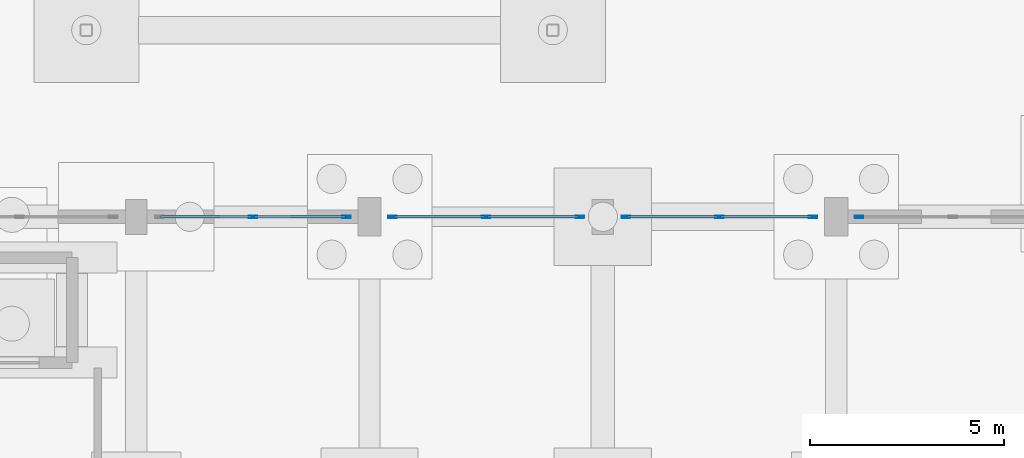
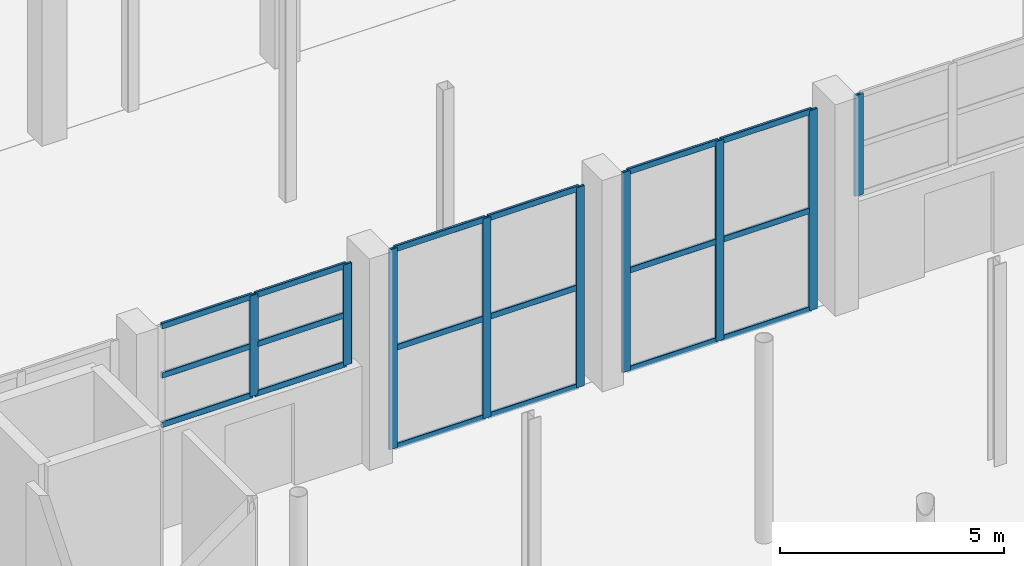
# One storey, part 51 of 103: 27 members, 4 elements without a shape of their own.
"""IFC4 building model written with IfcOpenShell, lengths in metres."""

from ifc_helpers import new_model, si_unit, direction, frame, origin, origin_2d, place, context, subcontext, project, spatial, hollow_rectangle, extrude, material, layer, layer_set, material_profile, profile_set, type_object, element, aggregate, save


model = new_model("IFC4")

# Units and contexts
model_context = context("Model", 3, precision=1e-05, world=origin(), true_north=direction((0.0, 1.0)))
body_context = subcontext(model_context, "Body", "Model", "MODEL_VIEW")
ifc_project = project(units=[si_unit("LENGTHUNIT", "METRE"), si_unit("AREAUNIT", "SQUARE_METRE"), si_unit("VOLUMEUNIT", "CUBIC_METRE"), si_unit("PLANEANGLEUNIT", "RADIAN"), si_unit("MASSUNIT", "GRAM", prefix="KILO")], contexts=[model_context])

# Site, building, storey
site_placement = place(None, origin())
site = spatial("IfcSite", under=ifc_project, at=site_placement, CompositionType="ELEMENT")
building_placement = place(site_placement, origin())
building = spatial("IfcBuilding", under=site, at=building_placement, Name="Dunvalen Ferry Terminal", CompositionType="ELEMENT")
storey_placement = place(building_placement, origin())
storey = spatial("IfcBuildingStorey", under=building, at=storey_placement, Name="L00", CompositionType="ELEMENT", Elevation=0.0)

# Curtain wall, members
ifc_material_1 = material(Name="Anodised marine aluminium and solar-control glazing", Category="aluminium")
ifc_layer = layer(ifc_material_1, 0.219970703125, Name="Anodised marine aluminium and solar-control glazing")
ifc_layer_set = layer_set([ifc_layer], Name="Anodised marine aluminium and solar-control glazing")
curtain_wall_type = type_object("IfcCurtainWallType", Name="ENV-CW-SYS-01", PredefinedType="NOTDEFINED", material=ifc_layer_set)
curtain_wall_1_placement = place(storey_placement, origin())
curtain_wall_1 = element("IfcCurtainWall", 1, at=curtain_wall_1_placement, inside=storey, type_object=curtain_wall_type, Name="L00 Curtain Wall CW-V1N-L00-04", PredefinedType="NOTDEFINED")
ifc_material_2 = material(Name="Anodised marine aluminium EN AW-6063 T6", Category="aluminium")
ifc_material_profile_1 = material_profile(ifc_material_2, hollow_rectangle(XDim=0.06494140625, YDim=0.219970703125, WallThickness=0.00390625, InnerFilletRadius=0.00390625, OuterFilletRadius=0.008056640625, at=origin_2d()), Name="Anodised marine aluminium EN AW-6063 T6")
ifc_profile_set_1 = profile_set([ifc_material_profile_1], Name="Anodised marine aluminium EN AW-6063 T6")
member_type_1 = type_object("IfcMemberType", Name="ENV-CW-MUL-1", PredefinedType="MULLION", material=ifc_profile_set_1)
member_1_placement = place(storey_placement, frame((33.0, 86.39990234375, 2.699951171875), z_axis=(0.0, 0.0, 1.0), x_axis=(0.0, 1.0, 0.0)))
member_1 = element("IfcMember", 2, at=member_1_placement, type_object=member_type_1, Name="CW-01 mullion 2", PredefinedType="MULLION", context=body_context, shape_type="SweptSolid", body=[
    extrude(hollow_rectangle(XDim=0.06494140625, YDim=0.219970703125, WallThickness=0.00390625, InnerFilletRadius=0.00390625, OuterFilletRadius=0.008056640625, at=origin_2d()), origin(), (0.0, 0.0, 1.0), 2.75),
])
member_2_placement = place(storey_placement, frame((35.407470703125, 86.39990234375, 2.699951171875), z_axis=(0.0, 0.0, 1.0), x_axis=(0.0, 1.0, 0.0)))
member_2 = element("IfcMember", 3, at=member_2_placement, type_object=member_type_1, Name="CW-01 mullion 3", PredefinedType="MULLION", context=body_context, shape_type="SweptSolid", body=[
    extrude(hollow_rectangle(XDim=0.06494140625, YDim=0.219970703125, WallThickness=0.00390625, InnerFilletRadius=0.00390625, OuterFilletRadius=0.008056640625, at=origin_2d()), origin(), (0.0, 0.0, 1.0), 2.75),
])

curtain_wall_2_placement = place(storey_placement, origin())
curtain_wall_2 = element("IfcCurtainWall", 4, at=curtain_wall_2_placement, inside=storey, type_object=curtain_wall_type, Name="L00 Curtain Wall CW-V1N-L00-05", PredefinedType="NOTDEFINED")
member_3_placement = place(storey_placement, frame((36.592529296875, 86.39990234375, 0.0), z_axis=(0.0, 0.0, 1.0), x_axis=(0.0, 1.0, 0.0)))
member_3 = element("IfcMember", 5, at=member_3_placement, type_object=member_type_1, Name="CW-01 mullion 1", PredefinedType="MULLION", context=body_context, shape_type="SweptSolid", body=[
    extrude(hollow_rectangle(XDim=0.06494140625, YDim=0.219970703125, WallThickness=0.00390625, InnerFilletRadius=0.00390625, OuterFilletRadius=0.008056640625, at=origin_2d()), origin(), (0.0, 0.0, 1.0), 5.449951171875),
])
member_4_placement = place(storey_placement, frame((39.0, 86.39990234375, 0.0), z_axis=(0.0, 0.0, 1.0), x_axis=(0.0, 1.0, 0.0)))
member_4 = element("IfcMember", 6, at=member_4_placement, type_object=member_type_1, Name="CW-01 mullion 2", PredefinedType="MULLION", context=body_context, shape_type="SweptSolid", body=[
    extrude(hollow_rectangle(XDim=0.06494140625, YDim=0.219970703125, WallThickness=0.00390625, InnerFilletRadius=0.00390625, OuterFilletRadius=0.008056640625, at=origin_2d()), origin(), (0.0, 0.0, 1.0), 5.449951171875),
])
member_5_placement = place(storey_placement, frame((41.407470703125, 86.39990234375, 0.0), z_axis=(0.0, 0.0, 1.0), x_axis=(0.0, 1.0, 0.0)))
member_5 = element("IfcMember", 7, at=member_5_placement, type_object=member_type_1, Name="CW-01 mullion 3", PredefinedType="MULLION", context=body_context, shape_type="SweptSolid", body=[
    extrude(hollow_rectangle(XDim=0.06494140625, YDim=0.219970703125, WallThickness=0.00390625, InnerFilletRadius=0.00390625, OuterFilletRadius=0.008056640625, at=origin_2d()), origin(), (0.0, 0.0, 1.0), 5.449951171875),
])

curtain_wall_3_placement = place(storey_placement, origin())
curtain_wall_3 = element("IfcCurtainWall", 8, at=curtain_wall_3_placement, inside=storey, type_object=curtain_wall_type, Name="L00 Curtain Wall CW-V1N-L00-06", PredefinedType="NOTDEFINED")
member_6_placement = place(storey_placement, frame((42.592529296875, 86.39990234375, 0.0), z_axis=(0.0, 0.0, 1.0), x_axis=(0.0, 1.0, 0.0)))
member_6 = element("IfcMember", 9, at=member_6_placement, type_object=member_type_1, Name="CW-01 mullion 1", PredefinedType="MULLION", context=body_context, shape_type="SweptSolid", body=[
    extrude(hollow_rectangle(XDim=0.06494140625, YDim=0.219970703125, WallThickness=0.00390625, InnerFilletRadius=0.00390625, OuterFilletRadius=0.008056640625, at=origin_2d()), origin(), (0.0, 0.0, 1.0), 5.449951171875),
])
member_7_placement = place(storey_placement, frame((45.0, 86.39990234375, 0.0), z_axis=(0.0, 0.0, 1.0), x_axis=(0.0, 1.0, 0.0)))
member_7 = element("IfcMember", 10, at=member_7_placement, type_object=member_type_1, Name="CW-01 mullion 2", PredefinedType="MULLION", context=body_context, shape_type="SweptSolid", body=[
    extrude(hollow_rectangle(XDim=0.06494140625, YDim=0.219970703125, WallThickness=0.00390625, InnerFilletRadius=0.00390625, OuterFilletRadius=0.008056640625, at=origin_2d()), origin(), (0.0, 0.0, 1.0), 5.449951171875),
])
member_8_placement = place(storey_placement, frame((47.407470703125, 86.39990234375, 0.0), z_axis=(0.0, 0.0, 1.0), x_axis=(0.0, 1.0, 0.0)))
member_8 = element("IfcMember", 11, at=member_8_placement, type_object=member_type_1, Name="CW-01 mullion 3", PredefinedType="MULLION", context=body_context, shape_type="SweptSolid", body=[
    extrude(hollow_rectangle(XDim=0.06494140625, YDim=0.219970703125, WallThickness=0.00390625, InnerFilletRadius=0.00390625, OuterFilletRadius=0.008056640625, at=origin_2d()), origin(), (0.0, 0.0, 1.0), 5.449951171875),
])

# Curtain wall, member
curtain_wall_4_placement = place(storey_placement, origin())
curtain_wall_4 = element("IfcCurtainWall", 12, at=curtain_wall_4_placement, inside=storey, type_object=curtain_wall_type, Name="L00 Curtain Wall CW-V1N-L00-07", PredefinedType="NOTDEFINED")
member_9_placement = place(storey_placement, frame((48.592529296875, 86.39990234375, 2.699951171875), z_axis=(0.0, 0.0, 1.0), x_axis=(0.0, 1.0, 0.0)))
member_9 = element("IfcMember", 13, at=member_9_placement, type_object=member_type_1, Name="CW-01 mullion 1", PredefinedType="MULLION", context=body_context, shape_type="SweptSolid", body=[
    extrude(hollow_rectangle(XDim=0.06494140625, YDim=0.219970703125, WallThickness=0.00390625, InnerFilletRadius=0.00390625, OuterFilletRadius=0.008056640625, at=origin_2d()), origin(), (0.0, 0.0, 1.0), 2.75),
])
aggregate(curtain_wall_4, [member_9])

# Member
ifc_material_profile_2 = material_profile(ifc_material_2, hollow_rectangle(XDim=0.06494140625, YDim=0.159912109375, WallThickness=0.00341796875, InnerFilletRadius=0.00341796875, OuterFilletRadius=0.007080078125, at=origin_2d()), Name="Anodised marine aluminium EN AW-6063 T6")
ifc_profile_set_2 = profile_set([ifc_material_profile_2], Name="Anodised marine aluminium EN AW-6063 T6")
member_type_2 = type_object("IfcMemberType", Name="ENV-CW-TRN-1", PredefinedType="USERDEFINED", material=ifc_profile_set_2)
member_10_placement = place(storey_placement, frame((30.625, 86.39990234375, 2.732421875), z_axis=(1.0, 0.0, 0.0), x_axis=(0.0, 1.0, 0.0)))
member_10 = element("IfcMember", 14, at=member_10_placement, type_object=member_type_2, Name="CW-01 transom 1.1", ObjectType="TRANSOM", PredefinedType="USERDEFINED", context=body_context, shape_type="SweptSolid", body=[
    extrude(hollow_rectangle(XDim=0.06494140625, YDim=0.159912109375, WallThickness=0.00341796875, InnerFilletRadius=0.00341796875, OuterFilletRadius=0.007080078125, at=origin_2d()), origin(), (0.0, 0.0, 1.0), 2.342529296875),
])

member_11_placement = place(storey_placement, frame((30.625, 86.39990234375, 4.074951171875), z_axis=(1.0, 0.0, 0.0), x_axis=(0.0, 1.0, 0.0)))
member_11 = element("IfcMember", 15, at=member_11_placement, type_object=member_type_2, Name="CW-01 transom 1.2", ObjectType="TRANSOM", PredefinedType="USERDEFINED", context=body_context, shape_type="SweptSolid", body=[
    extrude(hollow_rectangle(XDim=0.06494140625, YDim=0.159912109375, WallThickness=0.00341796875, InnerFilletRadius=0.00341796875, OuterFilletRadius=0.007080078125, at=origin_2d()), origin(), (0.0, 0.0, 1.0), 2.342529296875),
])

member_12_placement = place(storey_placement, frame((30.625, 86.39990234375, 5.41748046875), z_axis=(1.0, 0.0, 0.0), x_axis=(0.0, 1.0, 0.0)))
member_12 = element("IfcMember", 16, at=member_12_placement, type_object=member_type_2, Name="CW-01 transom 1.3", ObjectType="TRANSOM", PredefinedType="USERDEFINED", context=body_context, shape_type="SweptSolid", body=[
    extrude(hollow_rectangle(XDim=0.06494140625, YDim=0.159912109375, WallThickness=0.00341796875, InnerFilletRadius=0.00341796875, OuterFilletRadius=0.007080078125, at=origin_2d()), origin(), (0.0, 0.0, 1.0), 2.342529296875),
])

member_13_placement = place(storey_placement, frame((33.032470703125, 86.39990234375, 2.732421875), z_axis=(1.0, 0.0, 0.0), x_axis=(0.0, 1.0, 0.0)))
member_13 = element("IfcMember", 17, at=member_13_placement, type_object=member_type_2, Name="CW-01 transom 2.1", ObjectType="TRANSOM", PredefinedType="USERDEFINED", context=body_context, shape_type="SweptSolid", body=[
    extrude(hollow_rectangle(XDim=0.06494140625, YDim=0.159912109375, WallThickness=0.00341796875, InnerFilletRadius=0.00341796875, OuterFilletRadius=0.007080078125, at=origin_2d()), origin(), (0.0, 0.0, 1.0), 2.342529296875),
])

member_14_placement = place(storey_placement, frame((33.032470703125, 86.39990234375, 4.074951171875), z_axis=(1.0, 0.0, 0.0), x_axis=(0.0, 1.0, 0.0)))
member_14 = element("IfcMember", 18, at=member_14_placement, type_object=member_type_2, Name="CW-01 transom 2.2", ObjectType="TRANSOM", PredefinedType="USERDEFINED", context=body_context, shape_type="SweptSolid", body=[
    extrude(hollow_rectangle(XDim=0.06494140625, YDim=0.159912109375, WallThickness=0.00341796875, InnerFilletRadius=0.00341796875, OuterFilletRadius=0.007080078125, at=origin_2d()), origin(), (0.0, 0.0, 1.0), 2.342529296875),
])

member_15_placement = place(storey_placement, frame((33.032470703125, 86.39990234375, 5.41748046875), z_axis=(1.0, 0.0, 0.0), x_axis=(0.0, 1.0, 0.0)))
member_15 = element("IfcMember", 19, at=member_15_placement, type_object=member_type_2, Name="CW-01 transom 2.3", ObjectType="TRANSOM", PredefinedType="USERDEFINED", context=body_context, shape_type="SweptSolid", body=[
    extrude(hollow_rectangle(XDim=0.06494140625, YDim=0.159912109375, WallThickness=0.00341796875, InnerFilletRadius=0.00341796875, OuterFilletRadius=0.007080078125, at=origin_2d()), origin(), (0.0, 0.0, 1.0), 2.342529296875),
])

aggregate(curtain_wall_1, [member_1, member_2, member_10, member_11, member_12, member_13, member_14, member_15])

member_16_placement = place(storey_placement, frame((36.625, 86.39990234375, 0.032470703125), z_axis=(1.0, 0.0, 0.0), x_axis=(0.0, 1.0, 0.0)))
member_16 = element("IfcMember", 20, at=member_16_placement, type_object=member_type_2, Name="CW-01 transom 1.1", ObjectType="TRANSOM", PredefinedType="USERDEFINED", context=body_context, shape_type="SweptSolid", body=[
    extrude(hollow_rectangle(XDim=0.06494140625, YDim=0.159912109375, WallThickness=0.00341796875, InnerFilletRadius=0.00341796875, OuterFilletRadius=0.007080078125, at=origin_2d()), origin(), (0.0, 0.0, 1.0), 2.342529296875),
])

member_17_placement = place(storey_placement, frame((36.625, 86.39990234375, 2.72509765625), z_axis=(1.0, 0.0, 0.0), x_axis=(0.0, 1.0, 0.0)))
member_17 = element("IfcMember", 21, at=member_17_placement, type_object=member_type_2, Name="CW-01 transom 1.2", ObjectType="TRANSOM", PredefinedType="USERDEFINED", context=body_context, shape_type="SweptSolid", body=[
    extrude(hollow_rectangle(XDim=0.06494140625, YDim=0.159912109375, WallThickness=0.00341796875, InnerFilletRadius=0.00341796875, OuterFilletRadius=0.007080078125, at=origin_2d()), origin(), (0.0, 0.0, 1.0), 2.342529296875),
])

member_18_placement = place(storey_placement, frame((36.625, 86.39990234375, 5.41748046875), z_axis=(1.0, 0.0, 0.0), x_axis=(0.0, 1.0, 0.0)))
member_18 = element("IfcMember", 22, at=member_18_placement, type_object=member_type_2, Name="CW-01 transom 1.3", ObjectType="TRANSOM", PredefinedType="USERDEFINED", context=body_context, shape_type="SweptSolid", body=[
    extrude(hollow_rectangle(XDim=0.06494140625, YDim=0.159912109375, WallThickness=0.00341796875, InnerFilletRadius=0.00341796875, OuterFilletRadius=0.007080078125, at=origin_2d()), origin(), (0.0, 0.0, 1.0), 2.342529296875),
])

member_19_placement = place(storey_placement, frame((39.032470703125, 86.39990234375, 0.032470703125), z_axis=(1.0, 0.0, 0.0), x_axis=(0.0, 1.0, 0.0)))
member_19 = element("IfcMember", 23, at=member_19_placement, type_object=member_type_2, Name="CW-01 transom 2.1", ObjectType="TRANSOM", PredefinedType="USERDEFINED", context=body_context, shape_type="SweptSolid", body=[
    extrude(hollow_rectangle(XDim=0.06494140625, YDim=0.159912109375, WallThickness=0.00341796875, InnerFilletRadius=0.00341796875, OuterFilletRadius=0.007080078125, at=origin_2d()), origin(), (0.0, 0.0, 1.0), 2.342529296875),
])

member_20_placement = place(storey_placement, frame((39.032470703125, 86.39990234375, 2.72509765625), z_axis=(1.0, 0.0, 0.0), x_axis=(0.0, 1.0, 0.0)))
member_20 = element("IfcMember", 24, at=member_20_placement, type_object=member_type_2, Name="CW-01 transom 2.2", ObjectType="TRANSOM", PredefinedType="USERDEFINED", context=body_context, shape_type="SweptSolid", body=[
    extrude(hollow_rectangle(XDim=0.06494140625, YDim=0.159912109375, WallThickness=0.00341796875, InnerFilletRadius=0.00341796875, OuterFilletRadius=0.007080078125, at=origin_2d()), origin(), (0.0, 0.0, 1.0), 2.342529296875),
])

member_21_placement = place(storey_placement, frame((39.032470703125, 86.39990234375, 5.41748046875), z_axis=(1.0, 0.0, 0.0), x_axis=(0.0, 1.0, 0.0)))
member_21 = element("IfcMember", 25, at=member_21_placement, type_object=member_type_2, Name="CW-01 transom 2.3", ObjectType="TRANSOM", PredefinedType="USERDEFINED", context=body_context, shape_type="SweptSolid", body=[
    extrude(hollow_rectangle(XDim=0.06494140625, YDim=0.159912109375, WallThickness=0.00341796875, InnerFilletRadius=0.00341796875, OuterFilletRadius=0.007080078125, at=origin_2d()), origin(), (0.0, 0.0, 1.0), 2.342529296875),
])

aggregate(curtain_wall_2, [member_3, member_4, member_5, member_16, member_17, member_18, member_19, member_20, member_21])

member_22_placement = place(storey_placement, frame((42.625, 86.39990234375, 0.032470703125), z_axis=(1.0, 0.0, 0.0), x_axis=(0.0, 1.0, 0.0)))
member_22 = element("IfcMember", 26, at=member_22_placement, type_object=member_type_2, Name="CW-01 transom 1.1", ObjectType="TRANSOM", PredefinedType="USERDEFINED", context=body_context, shape_type="SweptSolid", body=[
    extrude(hollow_rectangle(XDim=0.06494140625, YDim=0.159912109375, WallThickness=0.00341796875, InnerFilletRadius=0.00341796875, OuterFilletRadius=0.007080078125, at=origin_2d()), origin(), (0.0, 0.0, 1.0), 2.342529296875),
])

member_23_placement = place(storey_placement, frame((42.625, 86.39990234375, 2.72509765625), z_axis=(1.0, 0.0, 0.0), x_axis=(0.0, 1.0, 0.0)))
member_23 = element("IfcMember", 27, at=member_23_placement, type_object=member_type_2, Name="CW-01 transom 1.2", ObjectType="TRANSOM", PredefinedType="USERDEFINED", context=body_context, shape_type="SweptSolid", body=[
    extrude(hollow_rectangle(XDim=0.06494140625, YDim=0.159912109375, WallThickness=0.00341796875, InnerFilletRadius=0.00341796875, OuterFilletRadius=0.007080078125, at=origin_2d()), origin(), (0.0, 0.0, 1.0), 2.342529296875),
])

member_24_placement = place(storey_placement, frame((42.625, 86.39990234375, 5.41748046875), z_axis=(1.0, 0.0, 0.0), x_axis=(0.0, 1.0, 0.0)))
member_24 = element("IfcMember", 28, at=member_24_placement, type_object=member_type_2, Name="CW-01 transom 1.3", ObjectType="TRANSOM", PredefinedType="USERDEFINED", context=body_context, shape_type="SweptSolid", body=[
    extrude(hollow_rectangle(XDim=0.06494140625, YDim=0.159912109375, WallThickness=0.00341796875, InnerFilletRadius=0.00341796875, OuterFilletRadius=0.007080078125, at=origin_2d()), origin(), (0.0, 0.0, 1.0), 2.342529296875),
])

member_25_placement = place(storey_placement, frame((45.032470703125, 86.39990234375, 0.032470703125), z_axis=(1.0, 0.0, 0.0), x_axis=(0.0, 1.0, 0.0)))
member_25 = element("IfcMember", 29, at=member_25_placement, type_object=member_type_2, Name="CW-01 transom 2.1", ObjectType="TRANSOM", PredefinedType="USERDEFINED", context=body_context, shape_type="SweptSolid", body=[
    extrude(hollow_rectangle(XDim=0.06494140625, YDim=0.159912109375, WallThickness=0.00341796875, InnerFilletRadius=0.00341796875, OuterFilletRadius=0.007080078125, at=origin_2d()), origin(), (0.0, 0.0, 1.0), 2.342529296875),
])

member_26_placement = place(storey_placement, frame((45.032470703125, 86.39990234375, 2.72509765625), z_axis=(1.0, 0.0, 0.0), x_axis=(0.0, 1.0, 0.0)))
member_26 = element("IfcMember", 30, at=member_26_placement, type_object=member_type_2, Name="CW-01 transom 2.2", ObjectType="TRANSOM", PredefinedType="USERDEFINED", context=body_context, shape_type="SweptSolid", body=[
    extrude(hollow_rectangle(XDim=0.06494140625, YDim=0.159912109375, WallThickness=0.00341796875, InnerFilletRadius=0.00341796875, OuterFilletRadius=0.007080078125, at=origin_2d()), origin(), (0.0, 0.0, 1.0), 2.342529296875),
])

member_27_placement = place(storey_placement, frame((45.032470703125, 86.39990234375, 5.41748046875), z_axis=(1.0, 0.0, 0.0), x_axis=(0.0, 1.0, 0.0)))
member_27 = element("IfcMember", 31, at=member_27_placement, type_object=member_type_2, Name="CW-01 transom 2.3", ObjectType="TRANSOM", PredefinedType="USERDEFINED", context=body_context, shape_type="SweptSolid", body=[
    extrude(hollow_rectangle(XDim=0.06494140625, YDim=0.159912109375, WallThickness=0.00341796875, InnerFilletRadius=0.00341796875, OuterFilletRadius=0.007080078125, at=origin_2d()), origin(), (0.0, 0.0, 1.0), 2.342529296875),
])

aggregate(curtain_wall_3, [member_6, member_7, member_8, member_22, member_23, member_24, member_25, member_26, member_27])

save(model, "model.ifc")
